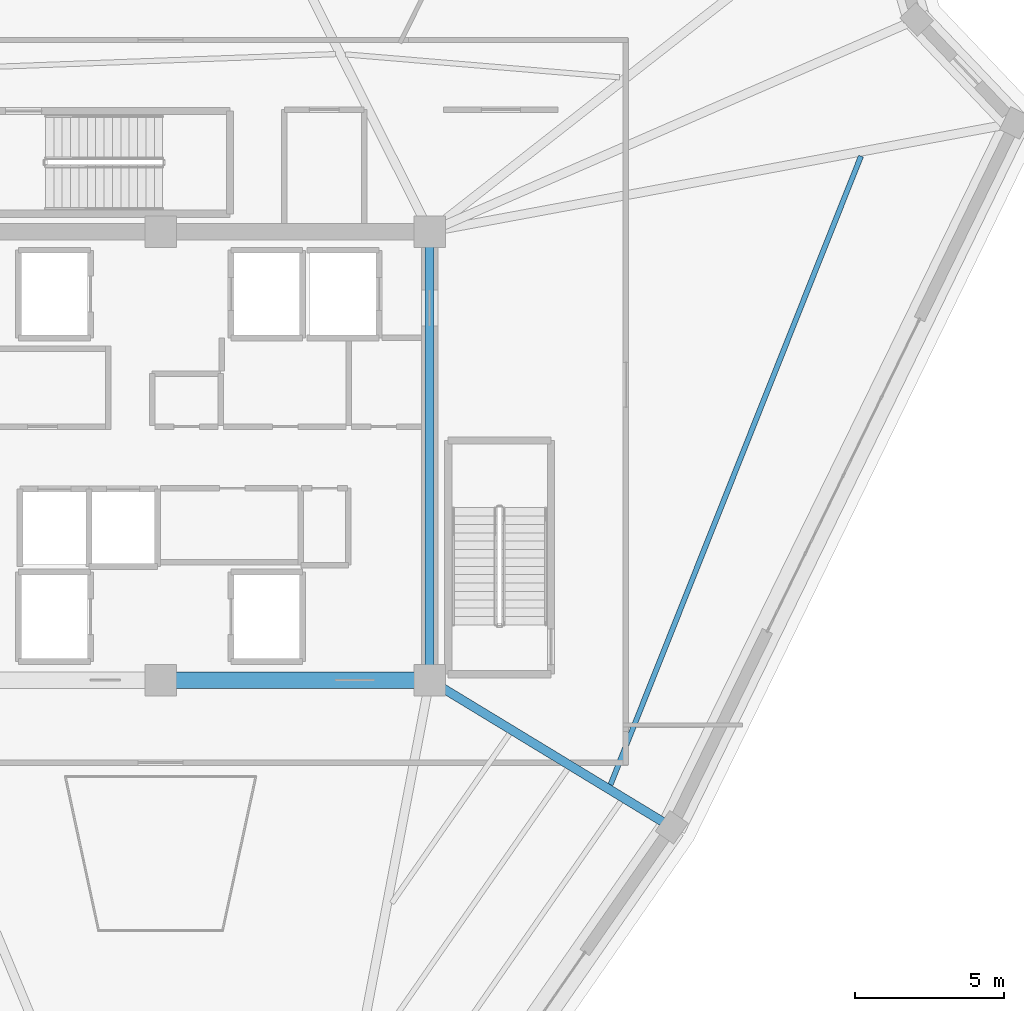
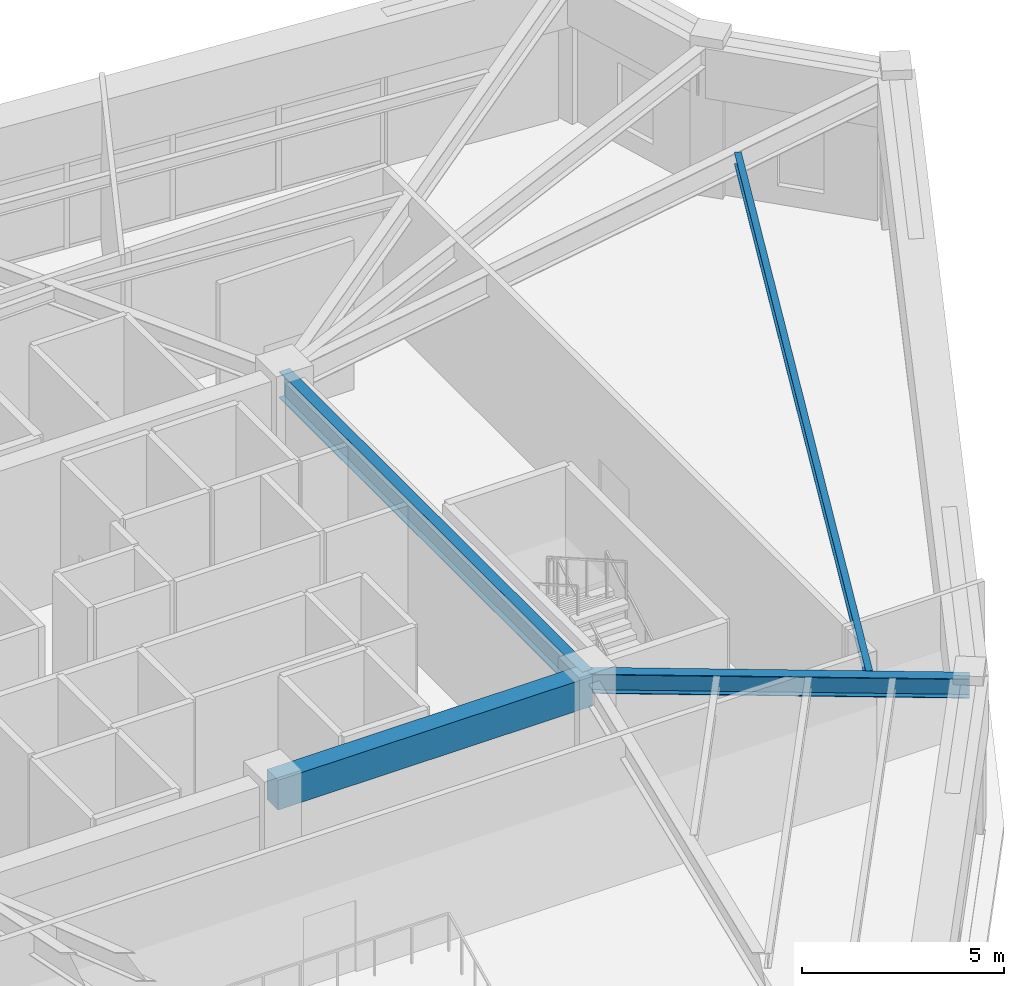
# One storey, part 15 of 40: 4 beams.
"""IFC4 building model written with IfcOpenShell, lengths in metres."""

from ifc_helpers import new_model, si_unit, direction, frame, origin, origin_2d, place, context, subcontext, project, spatial, rectangle, i_section, extrude, source, transform, mapped, material, material_profile, profile_set, type_object, element, save


model = new_model("IFC4")

# Units and contexts
model_context = context("Model", 3, precision=1e-05, world=origin(), true_north=direction((0.0, 1.0)))
body_context = subcontext(model_context, "Body", "Model", "MODEL_VIEW")
ifc_project = project(units=[si_unit("LENGTHUNIT", "METRE"), si_unit("AREAUNIT", "SQUARE_METRE"), si_unit("VOLUMEUNIT", "CUBIC_METRE"), si_unit("PLANEANGLEUNIT", "RADIAN"), si_unit("MASSUNIT", "GRAM", prefix="KILO")], contexts=[model_context])

# Site, building, storey
site_placement = place(None, origin())
site = spatial("IfcSite", under=ifc_project, at=site_placement, CompositionType="ELEMENT")
building_placement = place(site_placement, origin())
building = spatial("IfcBuilding", under=site, at=building_placement, Name="Liaohun Quay Tower", CompositionType="ELEMENT")
storey_placement = place(building_placement, frame((0.0, 0.0, 351.0)))
storey = spatial("IfcBuildingStorey", under=building, at=storey_placement, Name="L91", CompositionType="ELEMENT", Elevation=351.0)

# Beams
ifc_material_1 = material(Name="Steel Q355D", Category="steel")
ifc_material_profile_1 = material_profile(ifc_material_1, i_section(OverallWidth=0.300048828125, OverallDepth=0.800048828125, WebThickness=0.013916015625, FlangeThickness=0.02587890625, at=origin_2d()), Name="HN800x300x14x26")
ifc_profile_set_1 = profile_set([ifc_material_profile_1], Name="Steel Q355D")
beam_type_1 = type_object("IfcBeamType", Name="BM-RAD-M1", PredefinedType="BEAM", material=ifc_profile_set_1)
shared_shape_1 = source(origin(), body_context, "Body", "SweptSolid", [
    extrude(i_section(OverallWidth=0.300048828125, OverallDepth=0.800048828125, WebThickness=0.013916015625, FlangeThickness=0.02587890625, at=origin_2d()), origin(), (0.0, 0.0, 1.0), 15.0),
])
beam_1_placement = place(storey_placement, frame((69.0, 46.5, 4.1201171875), z_axis=(0.0, 1.0, 0.0), x_axis=(-1.0, 0.0, 0.0)))
element("IfcBeam", 1, at=beam_1_placement, inside=storey, type_object=beam_type_1, Name="L91 Core Coupling/Ring Beam CC3-CC4", PredefinedType="BEAM", context=body_context, shape_type="MappedRepresentation", body=[
    mapped(shared_shape_1, transform((0.0, 0.0, 0.0), x_axis=(1.0, 0.0, 0.0), y_axis=(0.0, 1.0, 0.0), z_axis=(0.0, 0.0, 1.0), scale=1.0)),
])
ifc_material_2 = material(Name="Concrete C55", Category="concrete")
ifc_material_profile_2 = material_profile(ifc_material_2, rectangle(XDim=0.550048828125, YDim=0.89990234375, at=origin_2d()), Name="RC550x900")
ifc_profile_set_2 = profile_set([ifc_material_profile_2], Name="Concrete C55")
beam_type_2 = type_object("IfcBeamType", Name="BM-CPL-2", PredefinedType="LINTEL", material=ifc_profile_set_2)
shared_shape_2 = source(origin(), body_context, "Body", "SweptSolid", [
    extrude(rectangle(XDim=0.550048828125, YDim=0.89990234375, at=origin_2d()), origin(), (0.0, 0.0, 1.0), 9.0),
])
beam_2_placement = place(storey_placement, frame((60.0, 46.5, 4.070068359375), z_axis=(1.0, 0.0, 0.0), x_axis=(0.0, 1.0, 0.0)))
element("IfcBeam", 2, at=beam_2_placement, inside=storey, type_object=beam_type_2, Name="L91 Core Coupling/Ring Beam CC2-CC3", PredefinedType="LINTEL", context=body_context, shape_type="MappedRepresentation", body=[
    mapped(shared_shape_2, transform((0.0, 0.0, 0.0), x_axis=(1.0, 0.0, 0.0), y_axis=(0.0, 1.0, 0.0), z_axis=(0.0, 0.0, 1.0), scale=1.0)),
])
ifc_material_profile_3 = material_profile(ifc_material_1, i_section(OverallWidth=0.300048828125, OverallDepth=0.587890625, WebThickness=0.011962890625, FlangeThickness=0.02001953125, at=origin_2d()), Name="HM588x300x12x20")
ifc_profile_set_3 = profile_set([ifc_material_profile_3], Name="Steel Q355D")
beam_type_3 = type_object("IfcBeamType", Name="BM-RAD-U2", PredefinedType="BEAM", material=ifc_profile_set_3)
shared_shape_3 = source(origin(), body_context, "Body", "SweptSolid", [
    extrude(i_section(OverallWidth=0.300048828125, OverallDepth=0.587890625, WebThickness=0.011962890625, FlangeThickness=0.02001953125, at=origin_2d()), origin(), (0.0, 0.0, 1.0), 9.4716796875),
])
beam_3_placement = place(storey_placement, frame((69.0, 46.5, 4.22607421875), z_axis=(0.854639241028, -0.519222271956, 0.0), x_axis=(0.519222271956, 0.854639241028, 0.0)))
element("IfcBeam", 3, at=beam_3_placement, inside=storey, type_object=beam_type_3, Name="L91 Radial Primary Girder CC3-PC10", PredefinedType="BEAM", context=body_context, shape_type="MappedRepresentation", body=[
    mapped(shared_shape_3, transform((0.0, 0.0, 0.0), x_axis=(1.0, 0.0, 0.0), y_axis=(0.0, 1.0, 0.0), z_axis=(0.0, 0.0, 1.0), scale=1.0)),
])
ifc_material_profile_4 = material_profile(ifc_material_1, i_section(OverallWidth=0.175048828125, OverallDepth=0.35009765625, WebThickness=0.007080078125, FlangeThickness=0.010986328125, at=origin_2d()), Name="HN350x175x7x11")
ifc_profile_set_4 = profile_set([ifc_material_profile_4], Name="Steel Q355D")
beam_type_4 = type_object("IfcBeamType", Name="BM-SEC-J3", PredefinedType="JOIST", material=ifc_profile_set_4)
shared_shape_4 = source(origin(), body_context, "Body", "SweptSolid", [
    extrude(i_section(OverallWidth=0.175048828125, OverallDepth=0.35009765625, WebThickness=0.007080078125, FlangeThickness=0.010986328125, at=origin_2d()), origin(), (0.0, 0.0, 1.0), 22.63330078125),
])
beam_4_placement = place(storey_placement, frame((83.426025390625, 64.027099609375, 4.344970703125), z_axis=(-0.37020382237, -0.928950552991, 0.0), x_axis=(0.928950552991, -0.37020382237, 0.0)))
element("IfcBeam", 4, at=beam_4_placement, inside=storey, type_object=beam_type_4, Name="L91 Wing Secondary Floor Joist SJ-11", PredefinedType="JOIST", context=body_context, shape_type="MappedRepresentation", body=[
    mapped(shared_shape_4, transform((0.0, 0.0, 0.0), x_axis=(1.0, 0.0, 0.0), y_axis=(0.0, 1.0, 0.0), z_axis=(0.0, 0.0, 1.0), scale=1.0)),
])

save(model, "model.ifc")
